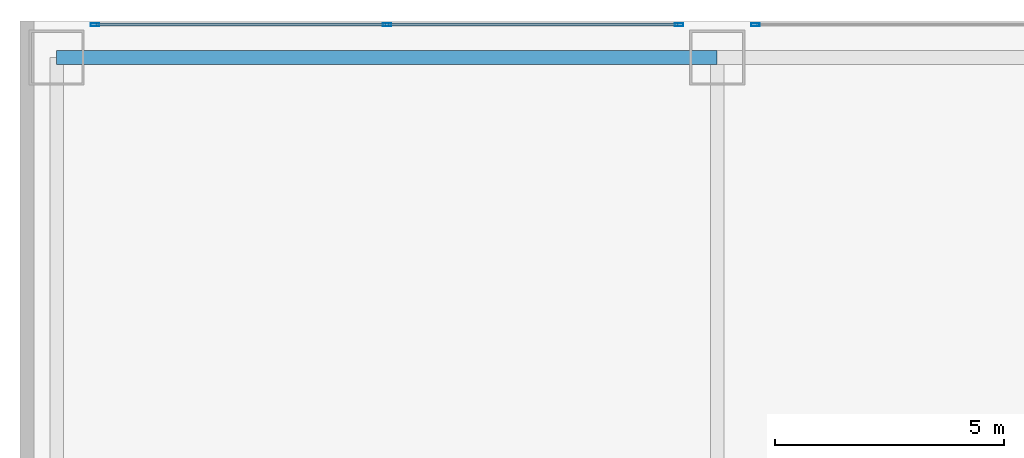
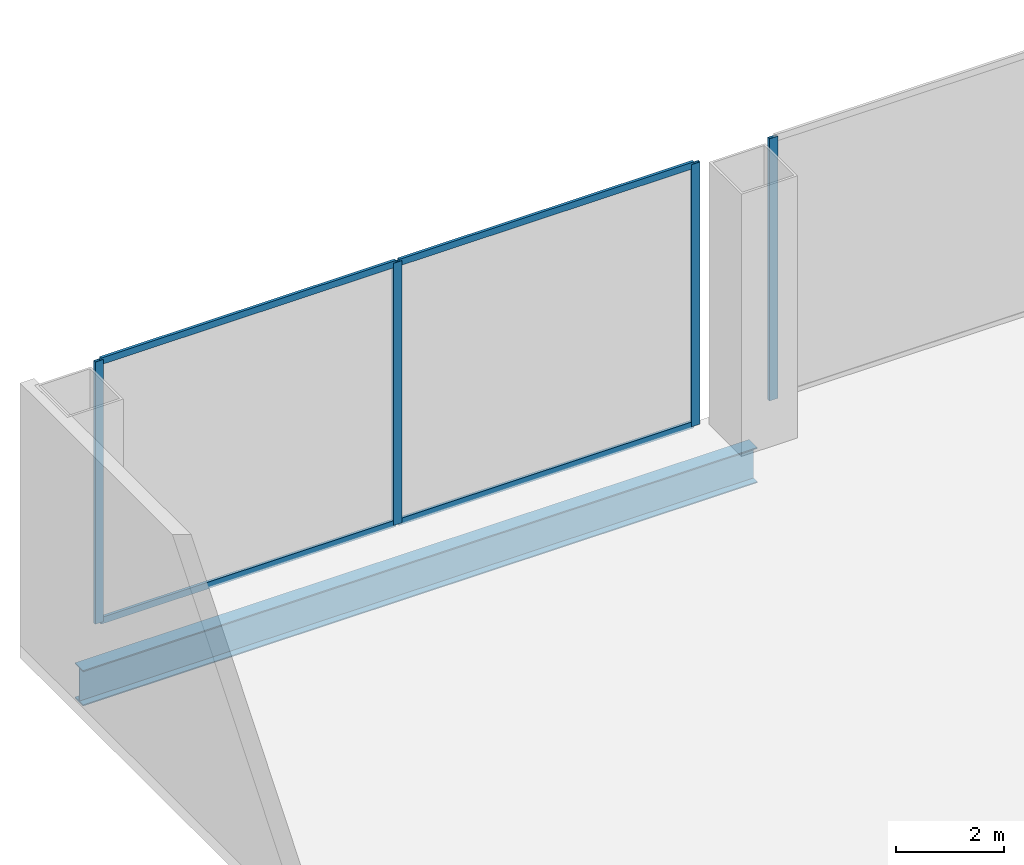
# One storey, part 18 of 41: 8 members, 1 beam, 2 elements without a shape of their own.
"""IFC4 building model written with IfcOpenShell, lengths in metres."""

from ifc_helpers import new_model, si_unit, direction, frame, origin, origin_2d, place, context, subcontext, project, spatial, hollow_rectangle, i_section, extrude, source, transform, mapped, material, layer, layer_set, material_profile, profile_set, type_object, element, aggregate, save


model = new_model("IFC4")

# Units and contexts
model_context = context("Model", 3, precision=1e-05, world=origin(), true_north=direction((0.0, 1.0)))
body_context = subcontext(model_context, "Body", "Model", "MODEL_VIEW")
ifc_project = project(units=[si_unit("LENGTHUNIT", "METRE"), si_unit("AREAUNIT", "SQUARE_METRE"), si_unit("VOLUMEUNIT", "CUBIC_METRE"), si_unit("PLANEANGLEUNIT", "RADIAN"), si_unit("MASSUNIT", "GRAM", prefix="KILO"), si_unit("THERMODYNAMICTEMPERATUREUNIT", "KELVIN"), si_unit("POWERUNIT", "WATT")], contexts=[model_context])

# Site, building, storey
site_placement = place(None, origin())
site = spatial("IfcSite", under=ifc_project, at=site_placement, CompositionType="ELEMENT")
building_placement = place(site_placement, origin())
building = spatial("IfcBuilding", under=site, at=building_placement, Name="Yunzhuo Pagoda Commons", CompositionType="ELEMENT")
storey_placement = place(building_placement, frame((0.0, 0.0, 19.199951171875)))
storey = spatial("IfcBuildingStorey", under=building, at=storey_placement, Name="L05", CompositionType="ELEMENT", Elevation=19.199951171875)

# Beam
ifc_material_1 = material(Name="Structural steel Q355B", Category="steel")
ifc_material_profile_1 = material_profile(ifc_material_1, i_section(OverallWidth=0.300048828125, OverallDepth=0.800048828125, WebThickness=0.013916015625, FlangeThickness=0.02587890625, at=origin_2d()), Name="Structural steel Q355B")
ifc_profile_set_1 = profile_set([ifc_material_profile_1], Name="Structural steel Q355B")
beam_type = type_object("IfcBeamType", Name="B-PD2 Beam HN 800x300x14x26", PredefinedType="BEAM", material=ifc_profile_set_1)
shared_shape_1 = source(origin(), body_context, "Body", "SweptSolid", [
    extrude(i_section(OverallWidth=0.300048828125, OverallDepth=0.800048828125, WebThickness=0.013916015625, FlangeThickness=0.02587890625, at=origin_2d()), origin(), (0.0, 0.0, 1.0), 14.39990234375),
])
beam_placement = place(storey_placement, frame((4.800048828125, 81.199951171875, -0.6796875), z_axis=(1.0, 0.0, 0.0), x_axis=(0.0, 1.0, 0.0)))
element("IfcBeam", 1, at=beam_placement, inside=storey, type_object=beam_type, Name="L05 podium girder EW 5.1", PredefinedType="BEAM", context=body_context, shape_type="MappedRepresentation", body=[
    mapped(shared_shape_1, transform((0.0, 0.0, 0.0), scale=1.0)),
])

# Curtain wall, members
ifc_material_2 = material(Name="Anodized aluminium 6063-T6", Category="aluminium")
ifc_layer = layer(ifc_material_2, 0.179931640625)
ifc_layer_set = layer_set([ifc_layer], Name="Anodized aluminium 6063-T6")
curtain_wall_type = type_object("IfcCurtainWallType", Name="CW-POD Waterfront Podium Curtain Wall", PredefinedType="NOTDEFINED", material=ifc_layer_set)
curtain_wall_1_placement = place(storey_placement, origin())
curtain_wall_1 = element("IfcCurtainWall", 2, at=curtain_wall_1_placement, inside=storey, type_object=curtain_wall_type, Name="L05 curtain wall CW-L05-N1", PredefinedType="NOTDEFINED")
ifc_material_profile_2 = material_profile(ifc_material_2, hollow_rectangle(XDim=0.06005859375, YDim=0.14990234375, WallThickness=0.00390625, at=origin_2d()), Name="Anodized aluminium 6063-T6")
ifc_profile_set_2 = profile_set([ifc_material_profile_2], Name="Anodized aluminium 6063-T6")
member_type_1 = type_object("IfcMemberType", Name="CW-POD-T Transom RHS 150x60x4", PredefinedType="USERDEFINED", material=ifc_profile_set_2)
shared_shape_2 = source(origin(), body_context, "Body", "SweptSolid", [
    extrude(hollow_rectangle(XDim=0.06005859375, YDim=0.14990234375, WallThickness=0.00390625, at=origin_2d()), origin(), (0.0, 0.0, 1.0), 6.302490234375),
])
member_1_placement = place(storey_placement, frame((5.6650390625, 81.919921875, 0.0302734375), z_axis=(1.0, 0.0, 0.0), x_axis=(0.0, 1.0, 0.0)))
member_1 = element("IfcMember", 3, at=member_1_placement, type_object=member_type_1, Name="CW transom 1.1", ObjectType="TRANSOM", PredefinedType="USERDEFINED", context=body_context, shape_type="MappedRepresentation", body=[
    mapped(shared_shape_2, transform((0.0, 0.0, 0.0), scale=1.0)),
])
member_2_placement = place(storey_placement, frame((5.6650390625, 81.919921875, 5.89013671875), z_axis=(1.0, 0.0, 0.0), x_axis=(0.0, 1.0, 0.0)))
member_2 = element("IfcMember", 4, at=member_2_placement, type_object=member_type_1, Name="CW transom 1.2", ObjectType="TRANSOM", PredefinedType="USERDEFINED", context=body_context, shape_type="MappedRepresentation", body=[
    mapped(shared_shape_2, transform((0.0, 0.0, 0.0), scale=1.0)),
])
member_3_placement = place(storey_placement, frame((12.032470703125, 81.919921875, 0.0302734375), z_axis=(1.0, 0.0, 0.0), x_axis=(0.0, 1.0, 0.0)))
member_3 = element("IfcMember", 5, at=member_3_placement, type_object=member_type_1, Name="CW transom 2.1", ObjectType="TRANSOM", PredefinedType="USERDEFINED", context=body_context, shape_type="MappedRepresentation", body=[
    mapped(shared_shape_2, transform((0.0, 0.0, 0.0), scale=1.0)),
])
member_4_placement = place(storey_placement, frame((12.032470703125, 81.919921875, 5.89013671875), z_axis=(1.0, 0.0, 0.0), x_axis=(0.0, 1.0, 0.0)))
member_4 = element("IfcMember", 6, at=member_4_placement, type_object=member_type_1, Name="CW transom 2.2", ObjectType="TRANSOM", PredefinedType="USERDEFINED", context=body_context, shape_type="MappedRepresentation", body=[
    mapped(shared_shape_2, transform((0.0, 0.0, 0.0), scale=1.0)),
])
ifc_material_profile_3 = material_profile(ifc_material_2, hollow_rectangle(XDim=0.06494140625, YDim=0.179931640625, WallThickness=0.00390625, at=origin_2d()), Name="Anodized aluminium 6063-T6")
ifc_profile_set_3 = profile_set([ifc_material_profile_3], Name="Anodized aluminium 6063-T6")
member_type_2 = type_object("IfcMemberType", Name="CW-POD-M Mullion RHS 180x65x4", PredefinedType="MULLION", material=ifc_profile_set_3)
shared_shape_3 = source(origin(), body_context, "Body", "SweptSolid", [
    extrude(hollow_rectangle(XDim=0.06494140625, YDim=0.179931640625, WallThickness=0.00390625, at=origin_2d()), origin(), (0.0, 0.0, 1.0), 5.920166015625),
])
member_5_placement = place(storey_placement, frame((5.632568359375, 81.919921875, 0.0), z_axis=(0.0, 0.0, 1.0), x_axis=(0.0, 1.0, 0.0)))
member_5 = element("IfcMember", 7, at=member_5_placement, type_object=member_type_2, Name="CW mullion 1", PredefinedType="MULLION", context=body_context, shape_type="MappedRepresentation", body=[
    mapped(shared_shape_3, transform((0.0, 0.0, 0.0), scale=1.0)),
])
member_6_placement = place(storey_placement, frame((12.0, 81.919921875, 0.0), z_axis=(0.0, 0.0, 1.0), x_axis=(0.0, 1.0, 0.0)))
member_6 = element("IfcMember", 8, at=member_6_placement, type_object=member_type_2, Name="CW mullion 2", PredefinedType="MULLION", context=body_context, shape_type="MappedRepresentation", body=[
    mapped(shared_shape_3, transform((0.0, 0.0, 0.0), scale=1.0)),
])
member_7_placement = place(storey_placement, frame((18.367431640625, 81.919921875, 0.0), z_axis=(0.0, 0.0, 1.0), x_axis=(0.0, 1.0, 0.0)))
member_7 = element("IfcMember", 9, at=member_7_placement, type_object=member_type_2, Name="CW mullion 3", PredefinedType="MULLION", context=body_context, shape_type="MappedRepresentation", body=[
    mapped(shared_shape_3, transform((0.0, 0.0, 0.0), scale=1.0)),
])
aggregate(curtain_wall_1, [member_5, member_6, member_7, member_1, member_2, member_3, member_4])

# Curtain wall, member
curtain_wall_2_placement = place(storey_placement, origin())
curtain_wall_2 = element("IfcCurtainWall", 10, at=curtain_wall_2_placement, inside=storey, type_object=curtain_wall_type, Name="L05 curtain wall CW-L05-N2", PredefinedType="NOTDEFINED")
member_8_placement = place(storey_placement, frame((20.032470703125, 81.919921875, 0.0), z_axis=(0.0, 0.0, 1.0), x_axis=(0.0, 1.0, 0.0)))
member_8 = element("IfcMember", 11, at=member_8_placement, type_object=member_type_2, Name="CW mullion 1", PredefinedType="MULLION", context=body_context, shape_type="MappedRepresentation", body=[
    mapped(shared_shape_3, transform((0.0, 0.0, 0.0), scale=1.0)),
])
aggregate(curtain_wall_2, [member_8])

save(model, "model.ifc")
